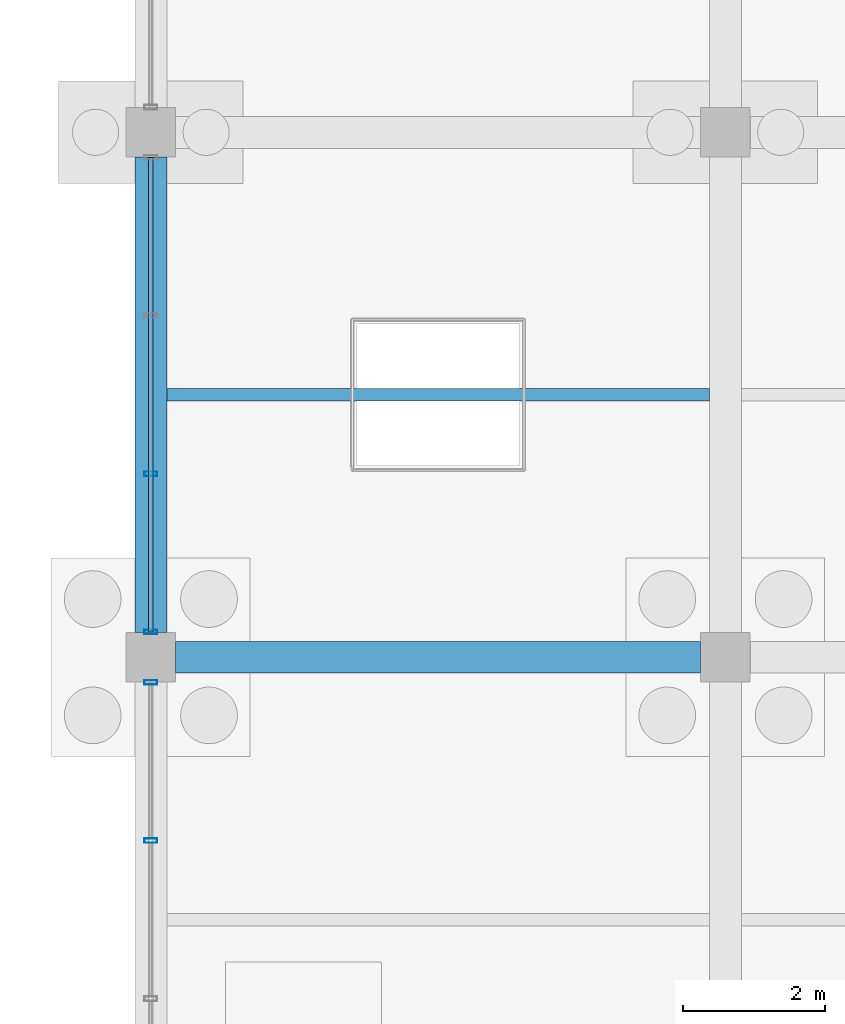
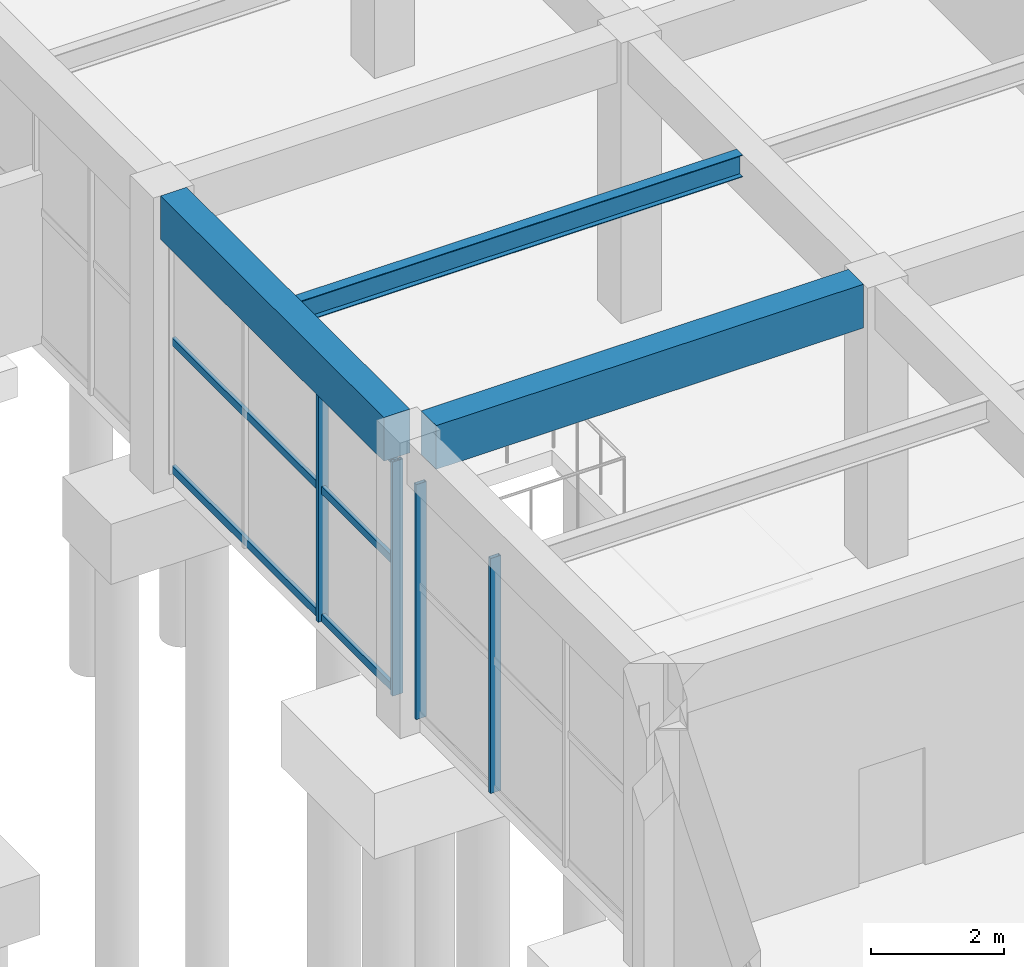
# One storey, part 101 of 140: 7 members, 3 beams, 2 elements without a shape of their own.
"""IFC4 building model written with IfcOpenShell, lengths in metres."""

from ifc_helpers import new_model, si_unit, direction, frame, origin, origin_2d, place, context, subcontext, project, spatial, rectangle, hollow_rectangle, i_section, extrude, material, material_profile, profile_set, type_object, element, aggregate, save


model = new_model("IFC4")

# Units and contexts
model_context = context("Model", 3, precision=1e-05, world=origin(), true_north=direction((0.0, 1.0)))
body_context = subcontext(model_context, "Body", "Model", "MODEL_VIEW")
ifc_project = project(units=[si_unit("LENGTHUNIT", "METRE"), si_unit("AREAUNIT", "SQUARE_METRE"), si_unit("VOLUMEUNIT", "CUBIC_METRE"), si_unit("PLANEANGLEUNIT", "RADIAN"), si_unit("MASSUNIT", "GRAM", prefix="KILO")], contexts=[model_context])

# Site, building, storey
site_placement = place(None, origin())
site = spatial("IfcSite", under=ifc_project, at=site_placement, CompositionType="ELEMENT")
building_placement = place(site_placement, origin())
building = spatial("IfcBuilding", under=site, at=building_placement, Name="Cimatlan Art Gallery", CompositionType="ELEMENT")
storey_placement = place(building_placement, origin())
storey = spatial("IfcBuildingStorey", under=building, at=storey_placement, Name="L00", CompositionType="ELEMENT", Elevation=0.0)

# Beams
ifc_material_1 = material(Name="Concrete C40/50", Category="concrete")
ifc_material_profile_1 = material_profile(ifc_material_1, rectangle(XDim=0.449951171875, YDim=0.800048828125, at=origin_2d()), Name="RC450X800")
ifc_profile_set_1 = profile_set([ifc_material_profile_1], Name="Concrete C40/50")
beam_type_1 = type_object("IfcBeamType", Name="BM-RC-450X800", PredefinedType="BEAM", material=ifc_profile_set_1)
beam_1_placement = place(storey_placement, frame((147.800048828125, 61.25, 4.735107421875), z_axis=(0.0, 1.0, 0.0), x_axis=(-1.0, 0.0, 0.0)))
element("IfcBeam", 1, at=beam_1_placement, inside=storey, type_object=beam_type_1, Name="BM-Y-L00-18-08", PredefinedType="BEAM", context=body_context, shape_type="SweptSolid", body=[
    extrude(rectangle(XDim=0.449951171875, YDim=0.800048828125, at=origin_2d()), origin(), (0.0, 0.0, 1.0), 6.699951171875),
])
beam_2_placement = place(storey_placement, frame((148.14990234375, 60.89990234375, 4.735107421875), z_axis=(1.0, 0.0, 0.0), x_axis=(0.0, 1.0, 0.0)))
element("IfcBeam", 2, at=beam_2_placement, inside=storey, type_object=beam_type_1, Name="BM-X-L00-18-08", PredefinedType="BEAM", context=body_context, shape_type="SweptSolid", body=[
    extrude(rectangle(XDim=0.449951171875, YDim=0.800048828125, at=origin_2d()), origin(), (0.0, 0.0, 1.0), 7.400146484375),
])
ifc_material_2 = material(Name="Steel ASTM A992 Grade 50", Category="steel")
ifc_material_profile_2 = material_profile(ifc_material_2, i_section(OverallWidth=0.177978515625, OverallDepth=0.406982421875, WebThickness=0.0078125, FlangeThickness=0.0126953125, at=origin_2d()), Name="W16X40")
ifc_profile_set_2 = profile_set([ifc_material_profile_2], Name="Steel ASTM A992 Grade 50")
beam_type_2 = type_object("IfcBeamType", Name="BM-STL-W16X40", PredefinedType="JOIST", material=ifc_profile_set_2)
beam_3_placement = place(storey_placement, frame((148.02490234375, 64.60009765625, 4.931396484375), z_axis=(1.0, 0.0, 0.0), x_axis=(0.0, 1.0, 0.0)))
element("IfcBeam", 3, at=beam_3_placement, inside=storey, type_object=beam_type_2, Name="JST-L00-18-08", PredefinedType="JOIST", context=body_context, shape_type="SweptSolid", body=[
    extrude(i_section(OverallWidth=0.177978515625, OverallDepth=0.406982421875, WebThickness=0.0078125, FlangeThickness=0.0126953125, at=origin_2d()), origin(), (0.0, 0.0, 1.0), 7.650146484375),
])

# Curtain wall, members
ifc_material_3 = material(Name="Anodised bronze unitised curtain wall")
curtain_wall_type_1 = type_object("IfcCurtainWallType", Name="CW-V-06692X04305-B3", PredefinedType="NOTDEFINED", material=ifc_material_3)
curtain_wall_1_placement = place(storey_placement, origin())
curtain_wall_1 = element("IfcCurtainWall", 4, at=curtain_wall_1_placement, inside=storey, type_object=curtain_wall_type_1, Name="CW-L00-18-07-W", PredefinedType="NOTDEFINED")
ifc_material_4 = material(Name="Anodised bronze aluminium 6063-T6", Category="aluminium")
ifc_material_profile_3 = material_profile(ifc_material_4, hollow_rectangle(XDim=0.06494140625, YDim=0.179931640625, WallThickness=0.00390625, at=origin_2d()), Name="ALU65X180X4")
ifc_profile_set_3 = profile_set([ifc_material_profile_3], Name="Anodised bronze aluminium 6063-T6")
member_type_1 = type_object("IfcMemberType", Name="CW-MUL-180", PredefinedType="MULLION", material=ifc_profile_set_3)
member_1_placement = place(storey_placement, frame((147.800048828125, 58.3154296875, 0.0), z_axis=(0.0, 0.0, 1.0), x_axis=(0.0, 1.0, 0.0)))
member_1 = element("IfcMember", 5, at=member_1_placement, type_object=member_type_1, Name="CW-L00-18-07-W-M3", PredefinedType="MULLION", context=body_context, shape_type="SweptSolid", body=[
    extrude(hollow_rectangle(XDim=0.06494140625, YDim=0.179931640625, WallThickness=0.00390625, at=origin_2d()), origin(), (0.0, 0.0, 1.0), 4.304931640625),
])
member_2_placement = place(storey_placement, frame((147.800048828125, 60.5458984375, 0.0), z_axis=(0.0, 0.0, 1.0), x_axis=(0.0, 1.0, 0.0)))
member_2 = element("IfcMember", 6, at=member_2_placement, type_object=member_type_1, Name="CW-L00-18-07-W-M4", PredefinedType="MULLION", context=body_context, shape_type="SweptSolid", body=[
    extrude(hollow_rectangle(XDim=0.06494140625, YDim=0.179931640625, WallThickness=0.00390625, at=origin_2d()), origin(), (0.0, 0.0, 1.0), 4.304931640625),
])
aggregate(curtain_wall_1, [member_1, member_2])

curtain_wall_type_2 = type_object("IfcCurtainWallType", Name="CW-V-06692X04290-B3", PredefinedType="NOTDEFINED", material=ifc_material_3)
curtain_wall_2_placement = place(storey_placement, origin())
curtain_wall_2 = element("IfcCurtainWall", 7, at=curtain_wall_2_placement, inside=storey, type_object=curtain_wall_type_2, Name="CW-L00-18-08-W", PredefinedType="NOTDEFINED")
member_3_placement = place(storey_placement, frame((147.800048828125, 61.25390625, 0.0), z_axis=(0.0, 0.0, 1.0), x_axis=(0.0, 1.0, 0.0)))
member_3 = element("IfcMember", 8, at=member_3_placement, type_object=member_type_1, Name="CW-L00-18-08-W-M1", PredefinedType="MULLION", context=body_context, shape_type="SweptSolid", body=[
    extrude(hollow_rectangle(XDim=0.06494140625, YDim=0.179931640625, WallThickness=0.00390625, at=origin_2d()), origin(), (0.0, 0.0, 1.0), 4.2900390625),
])
member_4_placement = place(storey_placement, frame((147.800048828125, 63.484619140625, 0.0), z_axis=(0.0, 0.0, 1.0), x_axis=(0.0, 1.0, 0.0)))
member_4 = element("IfcMember", 9, at=member_4_placement, type_object=member_type_1, Name="CW-L00-18-08-W-M2", PredefinedType="MULLION", context=body_context, shape_type="SweptSolid", body=[
    extrude(hollow_rectangle(XDim=0.06494140625, YDim=0.179931640625, WallThickness=0.00390625, at=origin_2d()), origin(), (0.0, 0.0, 1.0), 4.2900390625),
])
ifc_material_profile_4 = material_profile(ifc_material_4, hollow_rectangle(XDim=0.06494140625, YDim=0.139892578125, WallThickness=0.00390625, at=origin_2d()), Name="ALU65X140X4")
ifc_profile_set_4 = profile_set([ifc_material_profile_4], Name="Anodised bronze aluminium 6063-T6")
member_type_2 = type_object("IfcMemberType", Name="CW-TRN-140", PredefinedType="USERDEFINED", material=ifc_profile_set_4)
member_5_placement = place(storey_placement, frame((147.800048828125, 61.25390625, 0.06005859375), z_axis=(0.0, 1.0, 0.0), x_axis=(-1.0, 0.0, 0.0)))
member_5 = element("IfcMember", 10, at=member_5_placement, type_object=member_type_2, Name="CW-L00-18-08-W-T1", ObjectType="TRANSOM", PredefinedType="USERDEFINED", context=body_context, shape_type="SweptSolid", body=[
    extrude(hollow_rectangle(XDim=0.06494140625, YDim=0.139892578125, WallThickness=0.00390625, at=origin_2d()), origin(), (0.0, 0.0, 1.0), 6.692138671875),
])
member_6_placement = place(storey_placement, frame((147.800048828125, 61.25390625, 2.40234375), z_axis=(0.0, 1.0, 0.0), x_axis=(-1.0, 0.0, 0.0)))
member_6 = element("IfcMember", 11, at=member_6_placement, type_object=member_type_2, Name="CW-L00-18-08-W-T2", ObjectType="TRANSOM", PredefinedType="USERDEFINED", context=body_context, shape_type="SweptSolid", body=[
    extrude(hollow_rectangle(XDim=0.06494140625, YDim=0.139892578125, WallThickness=0.00390625, at=origin_2d()), origin(), (0.0, 0.0, 1.0), 6.692138671875),
])
member_7_placement = place(storey_placement, frame((147.800048828125, 61.25390625, 4.22998046875), z_axis=(0.0, 1.0, 0.0), x_axis=(-1.0, 0.0, 0.0)))
member_7 = element("IfcMember", 12, at=member_7_placement, type_object=member_type_2, Name="CW-L00-18-08-W-T3", ObjectType="TRANSOM", PredefinedType="USERDEFINED", context=body_context, shape_type="SweptSolid", body=[
    extrude(hollow_rectangle(XDim=0.06494140625, YDim=0.139892578125, WallThickness=0.00390625, at=origin_2d()), origin(), (0.0, 0.0, 1.0), 6.692138671875),
])
aggregate(curtain_wall_2, [member_3, member_4, member_5, member_6, member_7])

save(model, "model.ifc")
